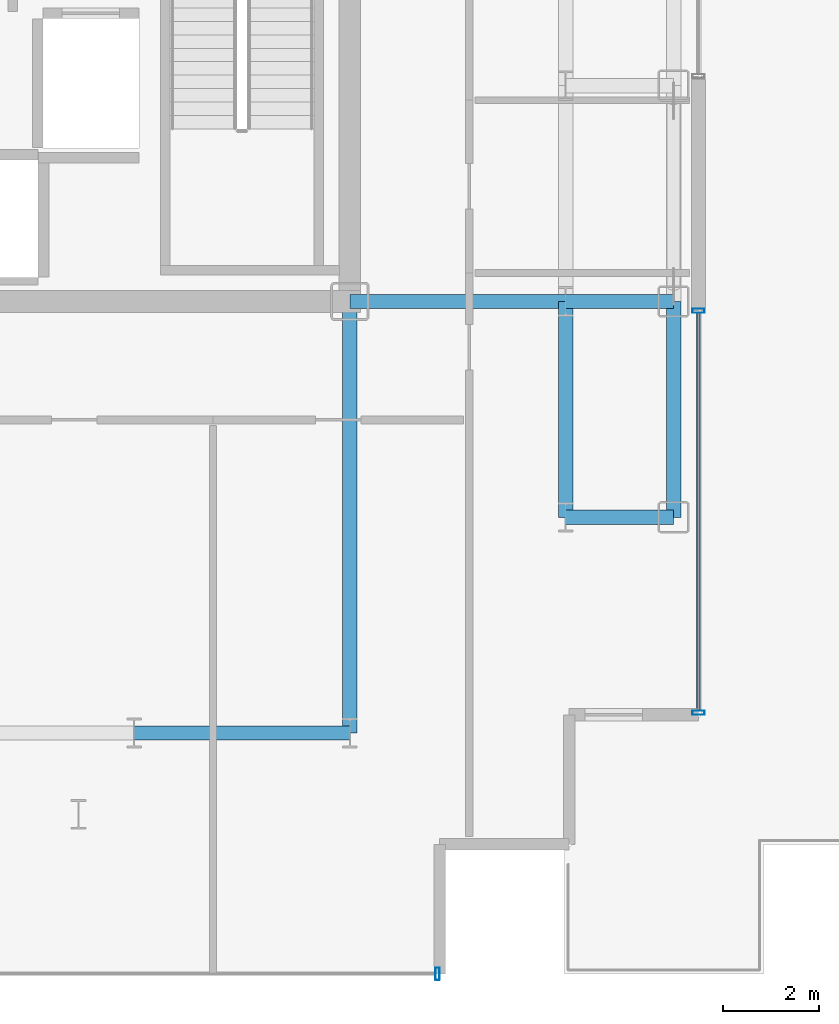
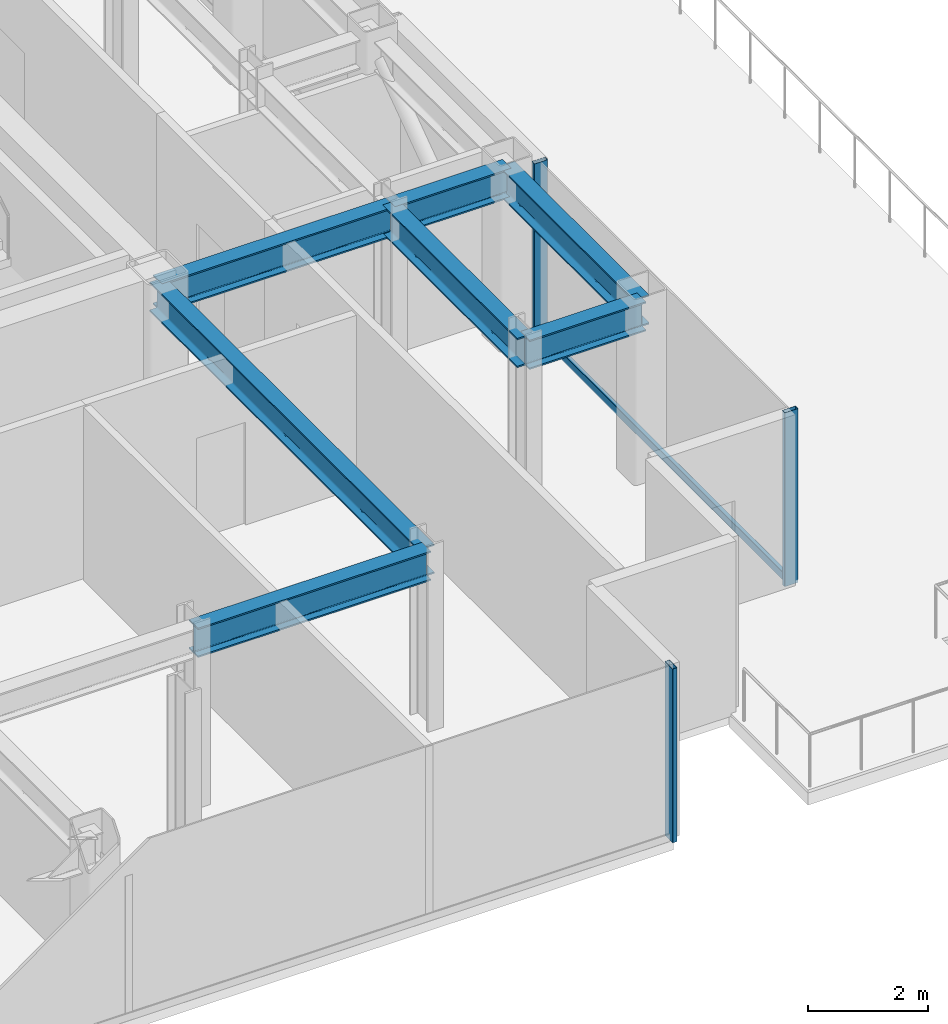
# One storey, part 5 of 17: 7 beams, 4 members, 2 elements without a shape of their own.
"""IFC4 building model written with IfcOpenShell, lengths in metres."""

from ifc_helpers import new_model, si_unit, direction, frame, origin, origin_2d, place, context, subcontext, project, spatial, hollow_rectangle, i_section, extrude, source, transform, mapped, material, layer, layer_set, material_profile, profile_set, type_object, element, aggregate, save


model = new_model("IFC4")

# Units and contexts
model_context = context("Model", 3, precision=1e-05, world=origin(), true_north=direction((0.0, 1.0)))
body_context = subcontext(model_context, "Body", "Model", "MODEL_VIEW")
ifc_project = project(units=[si_unit("LENGTHUNIT", "METRE"), si_unit("AREAUNIT", "SQUARE_METRE"), si_unit("VOLUMEUNIT", "CUBIC_METRE"), si_unit("PLANEANGLEUNIT", "RADIAN"), si_unit("MASSUNIT", "GRAM", prefix="KILO")], contexts=[model_context])

# Site, building, storey
site_placement = place(None, origin())
site = spatial("IfcSite", under=ifc_project, at=site_placement, CompositionType="ELEMENT")
building_placement = place(site_placement, origin())
building = spatial("IfcBuilding", under=site, at=building_placement, Name="Nefas-Gora Pilgrimage Tower", CompositionType="ELEMENT")
storey_placement = place(building_placement, frame((0.0, 0.0, 264.60009765625)))
storey = spatial("IfcBuildingStorey", under=building, at=storey_placement, Name="L66", CompositionType="ELEMENT", Elevation=264.60009765625)

# Beams
ifc_material_1 = material(Name="Steel S355", Category="steel")
ifc_material_profile_1 = material_profile(ifc_material_1, i_section(OverallWidth=0.300048828125, OverallDepth=0.60009765625, WebThickness=0.015380859375, FlangeThickness=0.030029296875, FilletRadius=0.027099609375, at=origin_2d()), Name="HEB 600")
ifc_profile_set_1 = profile_set([ifc_material_profile_1], Name="Steel S355")
beam_type_1 = type_object("IfcBeamType", Name="BM-SPN-HEB450", PredefinedType="SPANDREL", material=ifc_profile_set_1)
shared_shape_1 = source(origin(), body_context, "Body", "SweptSolid", [
    extrude(i_section(OverallWidth=0.300048828125, OverallDepth=0.60009765625, WebThickness=0.015380859375, FlangeThickness=0.030029296875, FilletRadius=0.027099609375, at=origin_2d()), origin(), (0.0, 0.0, 1.0), 4.5),
])
beam_1_placement = place(storey_placement, frame((18.0, -13.5, 3.25), z_axis=(0.0, 1.0, 0.0), x_axis=(-1.0, 0.0, 0.0)))
element("IfcBeam", 1, at=beam_1_placement, inside=storey, type_object=beam_type_1, Name="L66 SP-03 beam", PredefinedType="SPANDREL", context=body_context, shape_type="MappedRepresentation", body=[
    mapped(shared_shape_1, transform((0.0, 0.0, 0.0), x_axis=(1.0, 0.0, 0.0), y_axis=(0.0, 1.0, 0.0), z_axis=(0.0, 0.0, 1.0), scale=1.0)),
])
ifc_material_profile_2 = material_profile(ifc_material_1, i_section(OverallWidth=0.300048828125, OverallDepth=0.60009765625, WebThickness=0.015380859375, FlangeThickness=0.030029296875, FilletRadius=0.027099609375, at=origin_2d()), Name="HEB 600")
ifc_profile_set_2 = profile_set([ifc_material_profile_2], Name="Steel S355")
beam_type_2 = type_object("IfcBeamType", Name="BM-GIR-HEB600", PredefinedType="BEAM", material=ifc_profile_set_2)
shared_shape_2 = source(origin(), body_context, "Body", "SweptSolid", [
    extrude(i_section(OverallWidth=0.300048828125, OverallDepth=0.60009765625, WebThickness=0.015380859375, FlangeThickness=0.030029296875, FilletRadius=0.027099609375, at=origin_2d()), origin(), (0.0, 0.0, 1.0), 9.0),
])
beam_2_placement = place(storey_placement, frame((11.25, -18.0, 3.25), z_axis=(0.0, 1.0, 0.0), x_axis=(-1.0, 0.0, 0.0)))
element("IfcBeam", 2, at=beam_2_placement, inside=storey, type_object=beam_type_2, Name="L66 G-04 beam", PredefinedType="BEAM", context=body_context, shape_type="MappedRepresentation", body=[
    mapped(shared_shape_2, transform((0.0, 0.0, 0.0), x_axis=(1.0, 0.0, 0.0), y_axis=(0.0, 1.0, 0.0), z_axis=(0.0, 0.0, 1.0), scale=1.0)),
])
shared_shape_3 = source(origin(), body_context, "Body", "SweptSolid", [
    extrude(i_section(OverallWidth=0.300048828125, OverallDepth=0.60009765625, WebThickness=0.015380859375, FlangeThickness=0.030029296875, FilletRadius=0.027099609375, at=origin_2d()), origin(), (0.0, 0.0, 1.0), 4.5),
])
for number, where, z_axis, x_axis, name in (
    (3, (6.75, -18.0, 3.25), (1.0, 0.0, 0.0), (0.0, 1.0, 0.0), "L66 G-04 beam"),
    (4, (11.25, -9.0, 3.25), (1.0, 0.0, 0.0), (0.0, 1.0, 0.0), "L66 G-04 beam"),
    (5, (15.75, -13.5, 3.25), (0.0, 1.0, 0.0), (-1.0, 0.0, 0.0), "L66 G-04 beam"),
):
    element("IfcBeam", number, at=place(storey_placement, frame(where, z_axis=z_axis, x_axis=x_axis)), inside=storey, type_object=beam_type_2, Name=name, PredefinedType="BEAM", context=body_context, shape_type="MappedRepresentation", body=[
        mapped(shared_shape_3, transform((0.0, 0.0, 0.0), x_axis=(1.0, 0.0, 0.0), y_axis=(0.0, 1.0, 0.0), z_axis=(0.0, 0.0, 1.0), scale=1.0)),
    ])
shared_shape_4 = source(origin(), body_context, "Body", "SweptSolid", [
    extrude(i_section(OverallWidth=0.300048828125, OverallDepth=0.60009765625, WebThickness=0.015380859375, FlangeThickness=0.030029296875, FilletRadius=0.027099609375, at=origin_2d()), origin(), (0.0, 0.0, 1.0), 2.25),
])
for number, where, z_axis, x_axis, name in (
    (6, (15.75, -13.5, 3.25), (1.0, 0.0, 0.0), (0.0, 1.0, 0.0), "L66 G-04 beam"),
    (7, (15.75, -9.0, 3.25), (1.0, 0.0, 0.0), (0.0, 1.0, 0.0), "L66 G-04 beam"),
):
    element("IfcBeam", number, at=place(storey_placement, frame(where, z_axis=z_axis, x_axis=x_axis)), inside=storey, type_object=beam_type_2, Name=name, PredefinedType="BEAM", context=body_context, shape_type="MappedRepresentation", body=[
        mapped(shared_shape_4, transform((0.0, 0.0, 0.0), x_axis=(1.0, 0.0, 0.0), y_axis=(0.0, 1.0, 0.0), z_axis=(0.0, 0.0, 1.0), scale=1.0)),
    ])

# Curtain wall, members
ifc_material_2 = material(Name="Dark ceramic-fritted solar-control aluminium-glass curtain wall", Category="aluminium")
ifc_layer = layer(ifc_material_2, 0.219970703125)
ifc_layer_set = layer_set([ifc_layer], Name="Dark ceramic-fritted solar-control aluminium-glass curtain wall")
curtain_wall_type = type_object("IfcCurtainWallType", Name="CW-SYS-4", PredefinedType="NOTDEFINED", material=ifc_layer_set)
curtain_wall_1_placement = place(storey_placement, origin())
curtain_wall_1 = element("IfcCurtainWall", 8, at=curtain_wall_1_placement, inside=storey, type_object=curtain_wall_type, Name="L66 Unitised Curtain Wall CW4", PredefinedType="NOTDEFINED")
ifc_material_3 = material(Name="Anodised architectural aluminium", Category="aluminium")
ifc_material_profile_3 = material_profile(ifc_material_3, hollow_rectangle(XDim=0.090087890625, YDim=0.260009765625, WallThickness=0.006103515625, InnerFilletRadius=0.006103515625, OuterFilletRadius=0.011962890625, at=origin_2d()), Name="ALU MULLION 90x260")
ifc_profile_set_3 = profile_set([ifc_material_profile_3], Name="Anodised architectural aluminium")
member_type_1 = type_object("IfcMemberType", Name="CWM-MUL-4", PredefinedType="MULLION", material=ifc_profile_set_3)
shared_shape_5 = source(origin(), body_context, "Body", "SweptSolid", [
    extrude(hollow_rectangle(XDim=0.090087890625, YDim=0.260009765625, WallThickness=0.006103515625, InnerFilletRadius=0.006103515625, OuterFilletRadius=0.011962890625, at=origin_2d()), origin(), (0.0, 0.0, 1.0), 3.5498046875),
])
member_1_placement = place(storey_placement, frame((18.52001953125, -17.574951171875, 0.0), z_axis=(0.0, 0.0, 1.0), x_axis=(0.0, 1.0, 0.0)))
member_1 = element("IfcMember", 9, at=member_1_placement, type_object=member_type_1, Name="CW4 Mullion 1", PredefinedType="MULLION", context=body_context, shape_type="MappedRepresentation", body=[
    mapped(shared_shape_5, transform((0.0, 0.0, 0.0), x_axis=(1.0, 0.0, 0.0), y_axis=(0.0, 1.0, 0.0), z_axis=(0.0, 0.0, 1.0), scale=1.0)),
])
member_2_placement = place(storey_placement, frame((18.52001953125, -9.195068359375, 0.0), z_axis=(0.0, 0.0, 1.0), x_axis=(0.0, 1.0, 0.0)))
member_2 = element("IfcMember", 10, at=member_2_placement, type_object=member_type_1, Name="CW4 Mullion 2", PredefinedType="MULLION", context=body_context, shape_type="MappedRepresentation", body=[
    mapped(shared_shape_5, transform((0.0, 0.0, 0.0), x_axis=(1.0, 0.0, 0.0), y_axis=(0.0, 1.0, 0.0), z_axis=(0.0, 0.0, 1.0), scale=1.0)),
])

# Curtain wall, member
curtain_wall_2_placement = place(storey_placement, origin())
curtain_wall_2 = element("IfcCurtainWall", 11, at=curtain_wall_2_placement, inside=storey, type_object=curtain_wall_type, Name="L66 Unitised Curtain Wall CW4", PredefinedType="NOTDEFINED")
member_3_placement = place(storey_placement, frame((13.074951171875, -23.02001953125, 0.0), z_axis=(0.0, 0.0, 1.0), x_axis=(1.0, 0.0, 0.0)))
member_3 = element("IfcMember", 12, at=member_3_placement, type_object=member_type_1, Name="CW4 Mullion 2", PredefinedType="MULLION", context=body_context, shape_type="MappedRepresentation", body=[
    mapped(shared_shape_5, transform((0.0, 0.0, 0.0), x_axis=(1.0, 0.0, 0.0), y_axis=(0.0, 1.0, 0.0), z_axis=(0.0, 0.0, 1.0), scale=1.0)),
])
aggregate(curtain_wall_2, [member_3])

# Member
ifc_material_profile_4 = material_profile(ifc_material_3, hollow_rectangle(XDim=0.080078125, YDim=0.159912109375, WallThickness=0.00439453125, InnerFilletRadius=0.00439453125, OuterFilletRadius=0.009033203125, at=origin_2d()), Name="ALU TRANSOM 80x160")
ifc_profile_set_4 = profile_set([ifc_material_profile_4], Name="Anodised architectural aluminium")
member_type_2 = type_object("IfcMemberType", Name="CWM-TRN-4", PredefinedType="USERDEFINED", material=ifc_profile_set_4)
shared_shape_6 = source(origin(), body_context, "Body", "SweptSolid", [
    extrude(hollow_rectangle(XDim=0.080078125, YDim=0.159912109375, WallThickness=0.00439453125, InnerFilletRadius=0.00439453125, OuterFilletRadius=0.009033203125, at=origin_2d()), origin(), (0.0, 0.0, 1.0), 8.2900390625),
])
member_4_placement = place(storey_placement, frame((18.52001953125, -17.530029296875, 0.0498046875), z_axis=(0.0, 1.0, 0.0), x_axis=(-1.0, 0.0, 0.0)))
member_4 = element("IfcMember", 13, at=member_4_placement, type_object=member_type_2, Name="CW4 Spandrel Transom", ObjectType="TRANSOM", PredefinedType="USERDEFINED", context=body_context, shape_type="MappedRepresentation", body=[
    mapped(shared_shape_6, transform((0.0, 0.0, 0.0), x_axis=(1.0, 0.0, 0.0), y_axis=(0.0, 1.0, 0.0), z_axis=(0.0, 0.0, 1.0), scale=1.0)),
])

aggregate(curtain_wall_1, [member_1, member_2, member_4])

save(model, "model.ifc")
